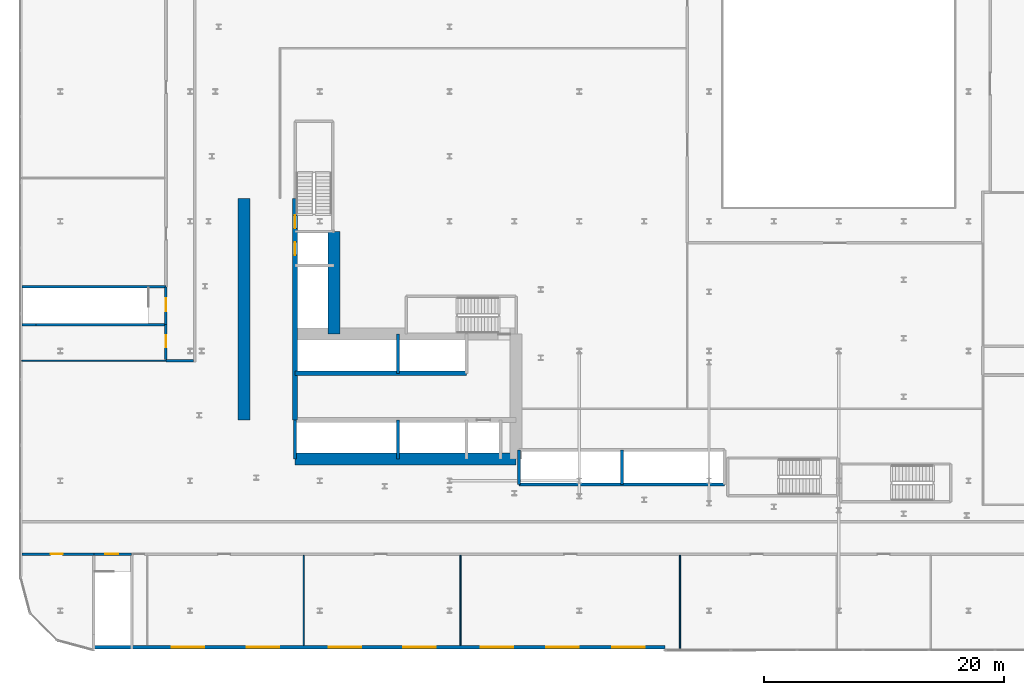
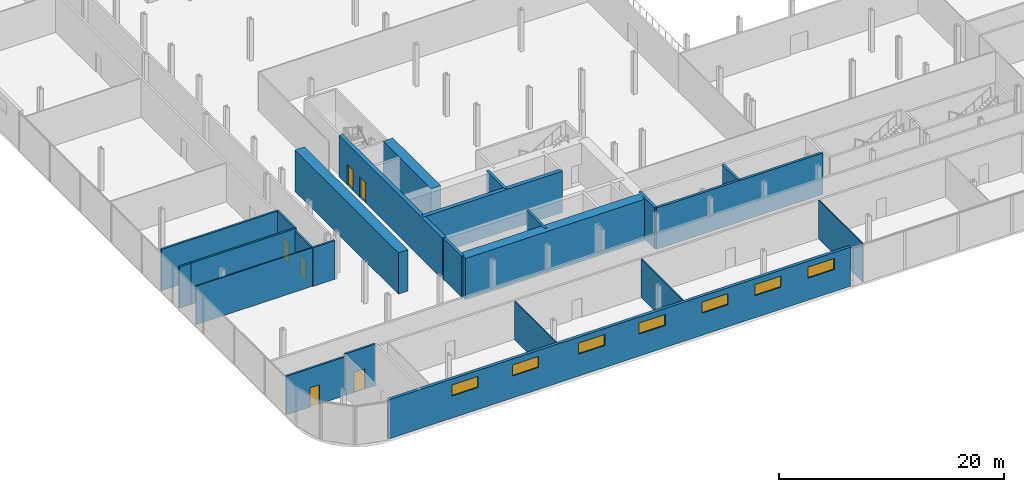
# One storey, part 26 of 43: 24 walls, 7 windows, 6 doors, 13 openings.
"""IFC4 building model written with IfcOpenShell, lengths in metres."""

from ifc_helpers import new_model, si_unit, direction, frame, frame_2d, origin, place, context, subcontext, project, spatial, rectangle, extrude, source, transform, mapped, material, layer, layer_set, type_object, element, fill, save


model = new_model("IFC4")

# Units and contexts
model_context = context("Model", 3, precision=1e-05, world=origin(), true_north=direction((0.0, 1.0)))
body_context = subcontext(model_context, "Body", "Model", "MODEL_VIEW")
ifc_project = project(units=[si_unit("LENGTHUNIT", "METRE"), si_unit("AREAUNIT", "SQUARE_METRE"), si_unit("VOLUMEUNIT", "CUBIC_METRE"), si_unit("PLANEANGLEUNIT", "RADIAN"), si_unit("MASSUNIT", "GRAM", prefix="KILO")], contexts=[model_context])

# Site, building, storey
site_placement = place(None, origin())
site = spatial("IfcSite", under=ifc_project, at=site_placement, CompositionType="ELEMENT")
building_placement = place(site_placement, origin())
building = spatial("IfcBuilding", under=site, at=building_placement, Name="Kheshtan School and Residences Tower", CompositionType="ELEMENT")
storey_placement = place(building_placement, frame((0.0, 0.0, 26.0)))
storey = spatial("IfcBuildingStorey", under=building, at=storey_placement, Name="L05", CompositionType="ELEMENT", Elevation=26.0)

# Walls
ifc_material_1 = material(Name="Concrete C80/95", Category="concrete")
ifc_layer_1 = layer(ifc_material_1, 1.0)
ifc_layer_set_1 = layer_set([ifc_layer_1], Name="Core wall 1000 Concrete C80/95")
wall_type_1 = type_object("IfcWallType", Name="Core wall 1000 Concrete C80/95", PredefinedType="SHEAR", material=ifc_layer_set_1)
wall_1_placement = place(storey_placement, frame((34.75, 25.800048828125, 0.0), z_axis=(0.0, 0.0, 1.0), x_axis=(1.0, 0.0, 0.0)))
element("IfcWall", 1, at=wall_1_placement, inside=storey, type_object=wall_type_1, Name="Core wall CW-REAR-S", PredefinedType="SHEAR", context=body_context, shape_type="SweptSolid", body=[
    extrude(rectangle(XDim=18.39990234375, YDim=1.0, at=frame_2d((9.199951171875, 0.0))), origin(), (0.0, 0.0, 1.0), 4.5),
])
wall_2_placement = place(storey_placement, frame((38.0, 36.199951171875, 0.0), z_axis=(0.0, 0.0, 1.0), x_axis=(0.0, 1.0, 0.0)))
element("IfcWall", 2, at=wall_2_placement, inside=storey, type_object=wall_type_1, Name="Core wall CW-FRONT-W", PredefinedType="SHEAR", context=body_context, shape_type="SweptSolid", body=[
    extrude(rectangle(XDim=8.550048828125, YDim=1.0, at=frame_2d((4.27490234375, 0.0))), origin(), (0.0, 0.0, 1.0), 4.5),
])
wall_3_placement = place(storey_placement, frame((30.5, 29.050048828125, 0.0), z_axis=(0.0, 0.0, 1.0), x_axis=(0.0, 1.0, 0.0)))
element("IfcWall", 3, at=wall_3_placement, inside=storey, type_object=wall_type_1, Name="Core wall CW-REAR-W", PredefinedType="SHEAR", context=body_context, shape_type="SweptSolid", body=[
    extrude(rectangle(XDim=18.449951171875, YDim=1.0, at=frame_2d((9.22509765625, 0.0))), origin(), (0.0, 0.0, 1.0), 4.5),
])
ifc_material_2 = material(Name="Concrete C50/60", Category="concrete")
ifc_layer_2 = layer(ifc_material_2, 0.39990234375)
ifc_layer_set_2 = layer_set([ifc_layer_2], Name="Core wall 400 Concrete C50/60")
wall_type_2 = type_object("IfcWallType", Name="Core wall 400 Concrete C50/60", PredefinedType="SHEAR", material=ifc_layer_set_2)
wall_4_placement = place(storey_placement, frame((34.75, 32.949951171875, 0.0), z_axis=(0.0, 0.0, 1.0), x_axis=(1.0, 0.0, 0.0)))
element("IfcWall", 4, at=wall_4_placement, inside=storey, type_object=wall_type_2, Name="Core wall CW-HALL-S2", PredefinedType="SHEAR", context=body_context, shape_type="SweptSolid", body=[
    extrude(rectangle(XDim=14.25, YDim=0.39990234375, at=frame_2d((7.125, 0.0))), origin(), (0.0, 0.0, 1.0), 4.5),
])

# Wall, openings, doors
wall_5_placement = place(storey_placement, frame((34.75, 29.050048828125, 0.0), z_axis=(0.0, 0.0, 1.0), x_axis=(0.0, 1.0, 0.0)))
wall_5 = element("IfcWall", 5, at=wall_5_placement, inside=storey, type_object=wall_type_2, Name="Core wall CW-HALL-W1", PredefinedType="SHEAR", context=body_context, shape_type="SweptSolid", body=[
    extrude(rectangle(XDim=18.449951171875, YDim=0.39990234375, at=frame_2d((9.22509765625, 0.0))), origin(), (0.0, 0.0, 1.0), 4.5),
])
opening_1_placement = place(wall_5_placement, frame((13.72509765625, 0.0, 0.0)))
opening_1 = element("IfcOpeningElement", 6, at=opening_1_placement, cuts=wall_5, Name="Opening LD", PredefinedType="OPENING", context=body_context, shape_type="SweptSolid", body=[
    extrude(rectangle(XDim=1.10009765625, YDim=2.199951171875, at=frame_2d((0.550048828125, 1.10009765625))), frame((0.0, 0.2099609375, 0.0), z_axis=(0.0, -1.0, 0.0), x_axis=(1.0, 0.0, 0.0)), (0.0, 0.0, 1.0), 0.419921875),
])
opening_2_placement = place(wall_5_placement, frame((15.949951171875, 0.0, 0.0)))
opening_2 = element("IfcOpeningElement", 7, at=opening_2_placement, cuts=wall_5, Name="Opening ST2D", PredefinedType="OPENING", context=body_context, shape_type="SweptSolid", body=[
    extrude(rectangle(XDim=1.10009765625, YDim=2.199951171875, at=frame_2d((0.550048828125, 1.10009765625))), frame((0.0, 0.2099609375, 0.0), z_axis=(0.0, -1.0, 0.0), x_axis=(1.0, 0.0, 0.0)), (0.0, 0.0, 1.0), 0.419921875),
])
ifc_material_3 = material(Name="Stainless steel door leaves", Category="steel")
door_type_1 = type_object("IfcDoorType", Name="Lift landing door 1100", OperationType="SLIDING_TO_LEFT", PredefinedType="DOOR", material=ifc_material_3)
shared_shape_1 = source(origin(), body_context, "Body", "SweptSolid", [
    extrude(rectangle(XDim=1.10009765625, YDim=2.199951171875, at=frame_2d((0.550048828125, 1.10009765625))), frame((0.0, 0.02490234375, 0.0), z_axis=(0.0, -1.0, 0.0), x_axis=(1.0, 0.0, 0.0)), (0.0, 0.0, 1.0), 0.050048828125),
])
door_1_placement = place(opening_1_placement, origin())
door_1 = element("IfcDoor", 8, at=door_1_placement, inside=storey, type_object=door_type_1, Name="Lift FFL1 landing door", OperationType="SLIDING_TO_LEFT", OverallHeight=2.199951171875, OverallWidth=1.10009765625, PredefinedType="DOOR", context=body_context, shape_type="MappedRepresentation", body=[
    mapped(shared_shape_1, transform((0.0, 0.0, 0.0), x_axis=(1.0, 0.0, 0.0), y_axis=(0.0, 1.0, 0.0), z_axis=(0.0, 0.0, 1.0), scale=1.0)),
])
fill(opening_1, door_1)
ifc_material_4 = material(Name="Steel door leaf, galvanised", Category="steel")
door_type_2 = type_object("IfcDoorType", Name="Stair door 1100 steel 90 min", OperationType="SINGLE_SWING_LEFT", PredefinedType="DOOR", material=ifc_material_4)
shared_shape_2 = source(origin(), body_context, "Body", "SweptSolid", [
    extrude(rectangle(XDim=1.10009765625, YDim=2.199951171875, at=frame_2d((0.550048828125, 1.10009765625))), frame((0.0, 0.02490234375, 0.0), z_axis=(0.0, -1.0, 0.0), x_axis=(1.0, 0.0, 0.0)), (0.0, 0.0, 1.0), 0.050048828125),
])
door_2_placement = place(opening_2_placement, origin())
door_2 = element("IfcDoor", 9, at=door_2_placement, inside=storey, type_object=door_type_2, Name="Stair ST2 door", OperationType="SINGLE_SWING_RIGHT", OverallHeight=2.199951171875, OverallWidth=1.10009765625, PredefinedType="DOOR", context=body_context, shape_type="MappedRepresentation", body=[
    mapped(shared_shape_2, transform((0.0, 0.0, 0.0), x_axis=(1.0, 0.0, 0.0), y_axis=(0.0, 1.0, 0.0), z_axis=(0.0, 0.0, 1.0), scale=1.0)),
])
fill(opening_2, door_2)

# Wall, opening, door
ifc_material_5 = material(Name="Gypsum board on steel studs with fire boards", Category="steel")
ifc_layer_3 = layer(ifc_material_5, 0.199951171875)
ifc_layer_set_3 = layer_set([ifc_layer_3], Name="Corridor wall 200")
wall_type_3 = type_object("IfcWallType", Name="Corridor wall 200", PredefinedType="PARTITIONING", material=ifc_layer_set_3)
wall_6_placement = place(storey_placement, frame((12.0, 17.89990234375, 0.0), z_axis=(0.0, 0.0, 1.0), x_axis=(1.0, 0.0, 0.0)))
wall_6 = element("IfcWall", 10, at=wall_6_placement, inside=storey, type_object=wall_type_3, Name="Partition L05-001", PredefinedType="PARTITIONING", context=body_context, shape_type="SweptSolid", body=[
    extrude(rectangle(XDim=6.0, YDim=0.199951171875, at=frame_2d((3.0, 0.0))), origin(), (0.0, 0.0, 1.0), 4.199951171875),
])
opening_3_placement = place(wall_6_placement, frame((2.39990234375, 0.0, 0.0)))
opening_3 = element("IfcOpeningElement", 11, at=opening_3_placement, cuts=wall_6, Name="Opening D05-034", PredefinedType="OPENING", context=body_context, shape_type="SweptSolid", body=[
    extrude(rectangle(XDim=1.0, YDim=2.10009765625, at=frame_2d((0.5, 1.050048828125))), frame((0.0, 0.10986328125, 0.0), z_axis=(0.0, -1.0, 0.0), x_axis=(1.0, 0.0, 0.0)), (0.0, 0.0, 1.0), 0.219970703125),
])
ifc_material_6 = material(Name="Steel-framed fire-resisting door leaf", Category="steel")
door_type_3 = type_object("IfcDoorType", Name="Fire door FD60 1000 x 2100", OperationType="SINGLE_SWING_LEFT", PredefinedType="DOOR", material=ifc_material_6)
shared_shape_3 = source(origin(), body_context, "Body", "SweptSolid", [
    extrude(rectangle(XDim=1.0, YDim=2.10009765625, at=frame_2d((0.5, 1.050048828125))), frame((0.0, 0.02490234375, 0.0), z_axis=(0.0, -1.0, 0.0), x_axis=(1.0, 0.0, 0.0)), (0.0, 0.0, 1.0), 0.050048828125),
])
door_3_placement = place(opening_3_placement, origin())
door_3 = element("IfcDoor", 12, at=door_3_placement, inside=storey, type_object=door_type_3, Name="Door D05-034", OperationType="SINGLE_SWING_LEFT", OverallHeight=2.10009765625, OverallWidth=1.0, PredefinedType="DOOR", context=body_context, shape_type="MappedRepresentation", body=[
    mapped(shared_shape_3, transform((0.0, 0.0, 0.0), x_axis=(1.0, 0.0, 0.0), y_axis=(0.0, 1.0, 0.0), z_axis=(0.0, 0.0, 1.0), scale=1.0)),
])
fill(opening_3, door_3)

# Wall
wall_7_placement = place(storey_placement, frame((24.0, 34.0, 0.0), z_axis=(0.0, 0.0, 1.0), x_axis=(1.0, 0.0, 0.0)))
element("IfcWall", 13, at=wall_7_placement, inside=storey, type_object=wall_type_3, Name="Partition L05-010", PredefinedType="PARTITIONING", context=body_context, shape_type="SweptSolid", body=[
    extrude(rectangle(XDim=2.300048828125, YDim=0.199951171875, at=frame_2d((1.14990234375, 0.0))), origin(), (0.0, 0.0, 1.0), 4.199951171875),
])

# Wall, opening, door
wall_8_placement = place(storey_placement, frame((24.0, 34.10009765625, 0.0), z_axis=(0.0, 0.0, 1.0), x_axis=(0.0, 1.0, 0.0)))
wall_8 = element("IfcWall", 14, at=wall_8_placement, inside=storey, type_object=wall_type_3, Name="Partition L05-011", PredefinedType="PARTITIONING", context=body_context, shape_type="SweptSolid", body=[
    extrude(rectangle(XDim=2.89990234375, YDim=0.199951171875, at=frame_2d((1.449951171875, 0.0))), origin(), (0.0, 0.0, 1.0), 4.199951171875),
])
opening_4_placement = place(wall_8_placement, frame((1.0, 0.0, 0.0)))
opening_4 = element("IfcOpeningElement", 15, at=opening_4_placement, cuts=wall_8, Name="Opening D05-052", PredefinedType="OPENING", context=body_context, shape_type="SweptSolid", body=[
    extrude(rectangle(XDim=1.0, YDim=2.10009765625, at=frame_2d((0.5, 1.050048828125))), frame((0.0, 0.10986328125, 0.0), z_axis=(0.0, -1.0, 0.0), x_axis=(1.0, 0.0, 0.0)), (0.0, 0.0, 1.0), 0.219970703125),
])
door_4_placement = place(opening_4_placement, origin())
door_4 = element("IfcDoor", 16, at=door_4_placement, inside=storey, type_object=door_type_3, Name="Door D05-052", OperationType="SINGLE_SWING_RIGHT", OverallHeight=2.10009765625, OverallWidth=1.0, PredefinedType="DOOR", context=body_context, shape_type="MappedRepresentation", body=[
    mapped(shared_shape_3, transform((0.0, 0.0, 0.0), x_axis=(1.0, 0.0, 0.0), y_axis=(0.0, 1.0, 0.0), z_axis=(0.0, 0.0, 1.0), scale=1.0)),
])
fill(opening_4, door_4)

# Walls
ifc_material_7 = material(Name="Gypsum board on steel studs", Category="steel")
ifc_layer_4 = layer(ifc_material_7, 0.10009765625)
ifc_layer_set_4 = layer_set([ifc_layer_4], Name="Gypsum partition 100")
wall_type_4 = type_object("IfcWallType", Name="Gypsum partition 100", PredefinedType="PARTITIONING", material=ifc_layer_set_4)
wall_9_placement = place(storey_placement, frame((12.0, 34.0, 0.0), z_axis=(0.0, 0.0, 1.0), x_axis=(1.0, 0.0, 0.0)))
element("IfcWall", 17, at=wall_9_placement, inside=storey, type_object=wall_type_4, Name="Partition L05-003", PredefinedType="PARTITIONING", context=body_context, shape_type="SweptSolid", body=[
    extrude(rectangle(XDim=12.0, YDim=0.10009765625, at=frame_2d((6.0, 0.0))), origin(), (0.0, 0.0, 1.0), 4.199951171875),
])
for number, where, z_axis, x_axis, name in (
    (18, (35.47802734375, 10.299072265625, 0.0), (0.0, 0.0, 1.0), (0.0, 1.0, 0.0), "Partition L05-017"),
    (19, (48.52197265625, 10.299072265625, 0.0), (0.0, 0.0, 1.0), (0.0, 1.0, 0.0), "Partition L05-018"),
):
    element("IfcWall", number, at=place(storey_placement, frame(where, z_axis=z_axis, x_axis=x_axis)), inside=storey, type_object=wall_type_4, Name=name, PredefinedType="PARTITIONING", context=body_context, shape_type="SweptSolid", body=[
        extrude(rectangle(XDim=7.5009765625, YDim=0.10009765625, at=frame_2d((3.75048828125, 0.0))), origin(), (0.0, 0.0, 1.0), 4.199951171875),
    ])
wall_10_placement = place(storey_placement, frame((66.782958984375, 10.0, 0.0), z_axis=(0.0, 0.0, 1.0), x_axis=(0.0, 1.0, 0.0)))
element("IfcWall", 20, at=wall_10_placement, inside=storey, type_object=wall_type_4, Name="Partition L05-028", PredefinedType="PARTITIONING", context=body_context, shape_type="SweptSolid", body=[
    extrude(rectangle(XDim=7.800048828125, YDim=0.10009765625, at=frame_2d((3.89990234375, 0.0))), origin(), (0.0, 0.0, 1.0), 4.199951171875),
])

# Wall, openings, windows
ifc_material_8 = material(Name="Concrete C40/50 with ceramic cladding and mineral wool insulation", Category="concrete")
ifc_layer_5 = layer(ifc_material_8, 0.300048828125)
ifc_layer_set_5 = layer_set([ifc_layer_5], Name="Podium external wall 300")
wall_type_5 = type_object("IfcWallType", Name="Podium external wall 300", PredefinedType="SOLIDWALL", material=ifc_layer_set_5)
wall_11_placement = place(storey_placement, frame((65.52001953125, 10.14990234375, 0.0), z_axis=(0.0, 0.0, 1.0), x_axis=(-1.0, 0.0, 0.0)))
wall_11 = element("IfcWall", 21, at=wall_11_placement, inside=storey, type_object=wall_type_5, Name="Podium external wall L05 12.1", PredefinedType="SOLIDWALL", context=body_context, shape_type="SweptSolid", body=[
    extrude(rectangle(XDim=47.52001953125, YDim=0.300048828125, at=frame_2d((23.760009765625, 0.0))), origin(), (0.0, 0.0, 1.0), 4.25),
])
opening_5_placement = place(wall_11_placement, frame((1.68310546875, 0.0, 2.39990234375)))
opening_5 = element("IfcOpeningElement", 22, at=opening_5_placement, cuts=wall_11, Name="Opening WN-G", PredefinedType="OPENING", context=body_context, shape_type="SweptSolid", body=[
    extrude(rectangle(XDim=2.699951171875, YDim=1.199951171875, at=frame_2d((1.35009765625, 0.60009765625))), frame((0.0, 0.16015625, 0.0), z_axis=(0.0, -1.0, 0.0), x_axis=(1.0, 0.0, 0.0)), (0.0, 0.0, 1.0), 0.320068359375),
])
opening_6_placement = place(wall_11_placement, frame((7.14990234375, 0.0, 2.39990234375)))
opening_6 = element("IfcOpeningElement", 23, at=opening_6_placement, cuts=wall_11, Name="Opening WN-G", PredefinedType="OPENING", context=body_context, shape_type="SweptSolid", body=[
    extrude(rectangle(XDim=2.699951171875, YDim=1.199951171875, at=frame_2d((1.35009765625, 0.60009765625))), frame((0.0, 0.16015625, 0.0), z_axis=(0.0, -1.0, 0.0), x_axis=(1.0, 0.0, 0.0)), (0.0, 0.0, 1.0), 0.320068359375),
])
opening_7_placement = place(wall_11_placement, frame((12.616943359375, 0.0, 2.39990234375)))
opening_7 = element("IfcOpeningElement", 24, at=opening_7_placement, cuts=wall_11, Name="Opening WN-G", PredefinedType="OPENING", context=body_context, shape_type="SweptSolid", body=[
    extrude(rectangle(XDim=2.699951171875, YDim=1.199951171875, at=frame_2d((1.35009765625, 0.60009765625))), frame((0.0, 0.16015625, 0.0), z_axis=(0.0, -1.0, 0.0), x_axis=(1.0, 0.0, 0.0)), (0.0, 0.0, 1.0), 0.320068359375),
])
opening_8_placement = place(wall_11_placement, frame((19.06005859375, 0.0, 2.39990234375)))
opening_8 = element("IfcOpeningElement", 25, at=opening_8_placement, cuts=wall_11, Name="Opening WN-G", PredefinedType="OPENING", context=body_context, shape_type="SweptSolid", body=[
    extrude(rectangle(XDim=2.699951171875, YDim=1.199951171875, at=frame_2d((1.35009765625, 0.60009765625))), frame((0.0, 0.16015625, 0.0), z_axis=(0.0, -1.0, 0.0), x_axis=(1.0, 0.0, 0.0)), (0.0, 0.0, 1.0), 0.320068359375),
])
opening_9_placement = place(wall_11_placement, frame((25.280029296875, 0.0, 2.39990234375)))
opening_9 = element("IfcOpeningElement", 26, at=opening_9_placement, cuts=wall_11, Name="Opening WN-G", PredefinedType="OPENING", context=body_context, shape_type="SweptSolid", body=[
    extrude(rectangle(XDim=2.699951171875, YDim=1.199951171875, at=frame_2d((1.35009765625, 0.60009765625))), frame((0.0, 0.16015625, 0.0), z_axis=(0.0, -1.0, 0.0), x_axis=(1.0, 0.0, 0.0)), (0.0, 0.0, 1.0), 0.320068359375),
])
opening_10_placement = place(wall_11_placement, frame((32.10009765625, 0.0, 2.39990234375)))
opening_10 = element("IfcOpeningElement", 27, at=opening_10_placement, cuts=wall_11, Name="Opening WN-G", PredefinedType="OPENING", context=body_context, shape_type="SweptSolid", body=[
    extrude(rectangle(XDim=2.699951171875, YDim=1.199951171875, at=frame_2d((1.35009765625, 0.60009765625))), frame((0.0, 0.16015625, 0.0), z_axis=(0.0, -1.0, 0.0), x_axis=(1.0, 0.0, 0.0)), (0.0, 0.0, 1.0), 0.320068359375),
])
opening_11_placement = place(wall_11_placement, frame((38.320068359375, 0.0, 2.39990234375)))
opening_11 = element("IfcOpeningElement", 28, at=opening_11_placement, cuts=wall_11, Name="Opening WN-G", PredefinedType="OPENING", context=body_context, shape_type="SweptSolid", body=[
    extrude(rectangle(XDim=2.699951171875, YDim=1.199951171875, at=frame_2d((1.35009765625, 0.60009765625))), frame((0.0, 0.16015625, 0.0), z_axis=(0.0, -1.0, 0.0), x_axis=(1.0, 0.0, 0.0)), (0.0, 0.0, 1.0), 0.320068359375),
])
ifc_material_9 = material(Name="Clear low-e glass in thermally broken aluminium frame", Category="aluminium")
window_type = type_object("IfcWindowType", Name="Window WN-G", PartitioningType="SINGLE_PANEL", PredefinedType="WINDOW", material=ifc_material_9)
shared_shape_4 = source(origin(), body_context, "Body", "SweptSolid", [
    extrude(rectangle(XDim=2.699951171875, YDim=1.199951171875, at=frame_2d((1.35009765625, 0.60009765625))), frame((0.0, 0.030029296875, 0.0), z_axis=(0.0, -1.0, 0.0), x_axis=(1.0, 0.0, 0.0)), (0.0, 0.0, 1.0), 0.06005859375),
])
window_1_placement = place(opening_5_placement, origin())
window_1 = element("IfcWindow", 29, at=window_1_placement, inside=storey, type_object=window_type, Name="Window L05 12.1.1", OverallHeight=1.199951171875, OverallWidth=2.699951171875, PartitioningType="SINGLE_PANEL", PredefinedType="WINDOW", context=body_context, shape_type="MappedRepresentation", body=[
    mapped(shared_shape_4, transform((0.0, 0.0, 0.0), x_axis=(1.0, 0.0, 0.0), y_axis=(0.0, 1.0, 0.0), z_axis=(0.0, 0.0, 1.0), scale=1.0)),
])
fill(opening_5, window_1)
window_2_placement = place(opening_6_placement, origin())
window_2 = element("IfcWindow", 30, at=window_2_placement, inside=storey, type_object=window_type, Name="Window L05 12.1.2", OverallHeight=1.199951171875, OverallWidth=2.699951171875, PartitioningType="SINGLE_PANEL", PredefinedType="WINDOW", context=body_context, shape_type="MappedRepresentation", body=[
    mapped(shared_shape_4, transform((0.0, 0.0, 0.0), x_axis=(1.0, 0.0, 0.0), y_axis=(0.0, 1.0, 0.0), z_axis=(0.0, 0.0, 1.0), scale=1.0)),
])
fill(opening_6, window_2)
window_3_placement = place(opening_7_placement, origin())
window_3 = element("IfcWindow", 31, at=window_3_placement, inside=storey, type_object=window_type, Name="Window L05 12.1.3", OverallHeight=1.199951171875, OverallWidth=2.699951171875, PartitioningType="SINGLE_PANEL", PredefinedType="WINDOW", context=body_context, shape_type="MappedRepresentation", body=[
    mapped(shared_shape_4, transform((0.0, 0.0, 0.0), x_axis=(1.0, 0.0, 0.0), y_axis=(0.0, 1.0, 0.0), z_axis=(0.0, 0.0, 1.0), scale=1.0)),
])
fill(opening_7, window_3)
window_4_placement = place(opening_8_placement, origin())
window_4 = element("IfcWindow", 32, at=window_4_placement, inside=storey, type_object=window_type, Name="Window L05 12.1.4", OverallHeight=1.199951171875, OverallWidth=2.699951171875, PartitioningType="SINGLE_PANEL", PredefinedType="WINDOW", context=body_context, shape_type="MappedRepresentation", body=[
    mapped(shared_shape_4, transform((0.0, 0.0, 0.0), x_axis=(1.0, 0.0, 0.0), y_axis=(0.0, 1.0, 0.0), z_axis=(0.0, 0.0, 1.0), scale=1.0)),
])
fill(opening_8, window_4)
window_5_placement = place(opening_9_placement, origin())
window_5 = element("IfcWindow", 33, at=window_5_placement, inside=storey, type_object=window_type, Name="Window L05 12.1.5", OverallHeight=1.199951171875, OverallWidth=2.699951171875, PartitioningType="SINGLE_PANEL", PredefinedType="WINDOW", context=body_context, shape_type="MappedRepresentation", body=[
    mapped(shared_shape_4, transform((0.0, 0.0, 0.0), x_axis=(1.0, 0.0, 0.0), y_axis=(0.0, 1.0, 0.0), z_axis=(0.0, 0.0, 1.0), scale=1.0)),
])
fill(opening_9, window_5)
window_6_placement = place(opening_10_placement, origin())
window_6 = element("IfcWindow", 34, at=window_6_placement, inside=storey, type_object=window_type, Name="Window L05 12.1.6", OverallHeight=1.199951171875, OverallWidth=2.699951171875, PartitioningType="SINGLE_PANEL", PredefinedType="WINDOW", context=body_context, shape_type="MappedRepresentation", body=[
    mapped(shared_shape_4, transform((0.0, 0.0, 0.0), x_axis=(1.0, 0.0, 0.0), y_axis=(0.0, 1.0, 0.0), z_axis=(0.0, 0.0, 1.0), scale=1.0)),
])
fill(opening_10, window_6)
window_7_placement = place(opening_11_placement, origin())
window_7 = element("IfcWindow", 35, at=window_7_placement, inside=storey, type_object=window_type, Name="Window L05 12.1.7", OverallHeight=1.199951171875, OverallWidth=2.699951171875, PartitioningType="SINGLE_PANEL", PredefinedType="WINDOW", context=body_context, shape_type="MappedRepresentation", body=[
    mapped(shared_shape_4, transform((0.0, 0.0, 0.0), x_axis=(1.0, 0.0, 0.0), y_axis=(0.0, 1.0, 0.0), z_axis=(0.0, 0.0, 1.0), scale=1.0)),
])
fill(opening_11, window_7)

# Walls
ifc_material_10 = material(Name="Fire-board shaft wall system")
ifc_layer_6 = layer(ifc_material_10, 0.25)
ifc_layer_set_6 = layer_set([ifc_layer_6], Name="Shaft lining wall 250")
wall_type_6 = type_object("IfcWallType", Name="Shaft lining wall 250", PredefinedType="PARTITIONING", material=ifc_layer_set_6)
for number, where, z_axis, x_axis, name in (
    (36, (34.75, 25.800048828125, 0.0), (0.0, 0.0, 1.0), (0.0, 1.0, 0.0), "Shaft lining wall"),
    (37, (43.300048828125, 25.800048828125, 0.0), (0.0, 0.0, 1.0), (0.0, 1.0, 0.0), "Shaft lining wall"),
    (38, (43.300048828125, 32.949951171875, 0.0), (0.0, 0.0, 1.0), (0.0, 1.0, 0.0), "Shaft lining wall"),
):
    element("IfcWall", number, at=place(storey_placement, frame(where, z_axis=z_axis, x_axis=x_axis)), inside=storey, type_object=wall_type_6, Name=name, PredefinedType="PARTITIONING", context=body_context, shape_type="SweptSolid", body=[
        extrude(rectangle(XDim=3.25, YDim=0.25, at=frame_2d((1.625, 0.0))), origin(), (0.0, 0.0, 1.0), 4.5),
    ])
for number, where, z_axis, x_axis, name in (
    (39, (53.39990234375, 23.699951171875, 0.0), (0.0, 0.0, 1.0), (0.0, 1.0, 0.0), "Shaft lining wall"),
    (40, (61.949951171875, 23.699951171875, 0.0), (0.0, 0.0, 1.0), (0.0, 1.0, 0.0), "Shaft lining wall"),
):
    element("IfcWall", number, at=place(storey_placement, frame(where, z_axis=z_axis, x_axis=x_axis)), inside=storey, type_object=wall_type_6, Name=name, PredefinedType="PARTITIONING", context=body_context, shape_type="SweptSolid", body=[
        extrude(rectangle(XDim=2.85009765625, YDim=0.25, at=frame_2d((1.425048828125, 0.0))), origin(), (0.0, 0.0, 1.0), 4.5),
    ])
wall_12_placement = place(storey_placement, frame((53.39990234375, 23.699951171875, 0.0), z_axis=(0.0, 0.0, 1.0), x_axis=(1.0, 0.0, 0.0)))
element("IfcWall", 41, at=wall_12_placement, inside=storey, type_object=wall_type_6, Name="Shaft lining wall", PredefinedType="PARTITIONING", context=body_context, shape_type="SweptSolid", body=[
    extrude(rectangle(XDim=17.10009765625, YDim=0.25, at=frame_2d((8.550048828125, 0.0))), origin(), (0.0, 0.0, 1.0), 4.5),
])

# Wall, opening, door
ifc_material_11 = material(Name="Concrete C40/50", Category="concrete")
ifc_layer_7 = layer(ifc_material_11, 0.199951171875)
ifc_layer_set_7 = layer_set([ifc_layer_7], Name="Stair enclosure wall 200 Concrete C40/50")
wall_type_7 = type_object("IfcWallType", Name="Stair enclosure wall 200 Concrete C40/50", PredefinedType="SHEAR", material=ifc_layer_set_7)
wall_13_placement = place(storey_placement, frame((18.0, 17.89990234375, 0.0), z_axis=(0.0, 0.0, 1.0), x_axis=(1.0, 0.0, 0.0)))
wall_13 = element("IfcWall", 42, at=wall_13_placement, inside=storey, type_object=wall_type_7, Name="Stair enclosure wall", PredefinedType="SHEAR", context=body_context, shape_type="SweptSolid", body=[
    extrude(rectangle(XDim=3.14990234375, YDim=0.199951171875, at=frame_2d((1.574951171875, 0.0))), origin(), (0.0, 0.0, 1.0), 4.5),
])
opening_12_placement = place(wall_13_placement, frame((0.949951171875, 0.0, 0.0)))
opening_12 = element("IfcOpeningElement", 43, at=opening_12_placement, cuts=wall_13, Name="Opening SD90", PredefinedType="OPENING", context=body_context, shape_type="SweptSolid", body=[
    extrude(rectangle(XDim=1.10009765625, YDim=2.199951171875, at=frame_2d((0.550048828125, 1.10009765625))), frame((0.0, 0.10986328125, 0.0), z_axis=(0.0, -1.0, 0.0), x_axis=(1.0, 0.0, 0.0)), (0.0, 0.0, 1.0), 0.219970703125),
])
door_5_placement = place(opening_12_placement, origin())
door_5 = element("IfcDoor", 44, at=door_5_placement, inside=storey, type_object=door_type_2, Name="Stair door", OperationType="SINGLE_SWING_RIGHT", OverallHeight=2.199951171875, OverallWidth=1.10009765625, PredefinedType="DOOR", context=body_context, shape_type="MappedRepresentation", body=[
    mapped(shared_shape_2, transform((0.0, 0.0, 0.0), x_axis=(1.0, 0.0, 0.0), y_axis=(0.0, 1.0, 0.0), z_axis=(0.0, 0.0, 1.0), scale=1.0)),
])
fill(opening_12, door_5)

# Walls
wall_14_placement = place(storey_placement, frame((12.0, 37.0, 0.0), z_axis=(0.0, 0.0, 1.0), x_axis=(1.0, 0.0, 0.0)))
element("IfcWall", 45, at=wall_14_placement, inside=storey, type_object=wall_type_7, Name="Stair enclosure wall", PredefinedType="SHEAR", context=body_context, shape_type="SweptSolid", body=[
    extrude(rectangle(XDim=1.199951171875, YDim=0.199951171875, at=frame_2d((0.60009765625, 0.0))), origin(), (0.0, 0.0, 1.0), 4.5),
])
wall_15_placement = place(storey_placement, frame((13.199951171875, 37.0, 0.0), z_axis=(0.0, 0.0, 1.0), x_axis=(1.0, 0.0, 0.0)))
element("IfcWall", 46, at=wall_15_placement, inside=storey, type_object=wall_type_7, Name="Stair enclosure wall", PredefinedType="SHEAR", context=body_context, shape_type="SweptSolid", body=[
    extrude(rectangle(XDim=10.800048828125, YDim=0.199951171875, at=frame_2d((5.39990234375, 0.0))), origin(), (0.0, 0.0, 1.0), 4.5),
])
wall_16_placement = place(storey_placement, frame((12.0, 40.14990234375, 0.0), z_axis=(0.0, 0.0, 1.0), x_axis=(1.0, 0.0, 0.0)))
element("IfcWall", 47, at=wall_16_placement, inside=storey, type_object=wall_type_7, Name="Stair enclosure wall", PredefinedType="SHEAR", context=body_context, shape_type="SweptSolid", body=[
    extrude(rectangle(XDim=12.0, YDim=0.199951171875, at=frame_2d((6.0, 0.0))), origin(), (0.0, 0.0, 1.0), 4.5),
])

# Wall, opening, door
wall_17_placement = place(storey_placement, frame((24.0, 37.0, 0.0), z_axis=(0.0, 0.0, 1.0), x_axis=(0.0, 1.0, 0.0)))
wall_17 = element("IfcWall", 48, at=wall_17_placement, inside=storey, type_object=wall_type_7, Name="Stair enclosure wall", PredefinedType="SHEAR", context=body_context, shape_type="SweptSolid", body=[
    extrude(rectangle(XDim=3.14990234375, YDim=0.199951171875, at=frame_2d((1.574951171875, 0.0))), origin(), (0.0, 0.0, 1.0), 4.5),
])
opening_13_placement = place(wall_17_placement, frame((1.10009765625, 0.0, 0.0)))
opening_13 = element("IfcOpeningElement", 49, at=opening_13_placement, cuts=wall_17, Name="Opening SD90", PredefinedType="OPENING", context=body_context, shape_type="SweptSolid", body=[
    extrude(rectangle(XDim=1.10009765625, YDim=2.199951171875, at=frame_2d((0.550048828125, 1.10009765625))), frame((0.0, 0.10986328125, 0.0), z_axis=(0.0, -1.0, 0.0), x_axis=(1.0, 0.0, 0.0)), (0.0, 0.0, 1.0), 0.219970703125),
])
door_6_placement = place(opening_13_placement, origin())
door_6 = element("IfcDoor", 50, at=door_6_placement, inside=storey, type_object=door_type_2, Name="Stair door", OperationType="SINGLE_SWING_RIGHT", OverallHeight=2.199951171875, OverallWidth=1.10009765625, PredefinedType="DOOR", context=body_context, shape_type="MappedRepresentation", body=[
    mapped(shared_shape_2, transform((0.0, 0.0, 0.0), x_axis=(1.0, 0.0, 0.0), y_axis=(0.0, 1.0, 0.0), z_axis=(0.0, 0.0, 1.0), scale=1.0)),
])
fill(opening_13, door_6)

save(model, "model.ifc")
